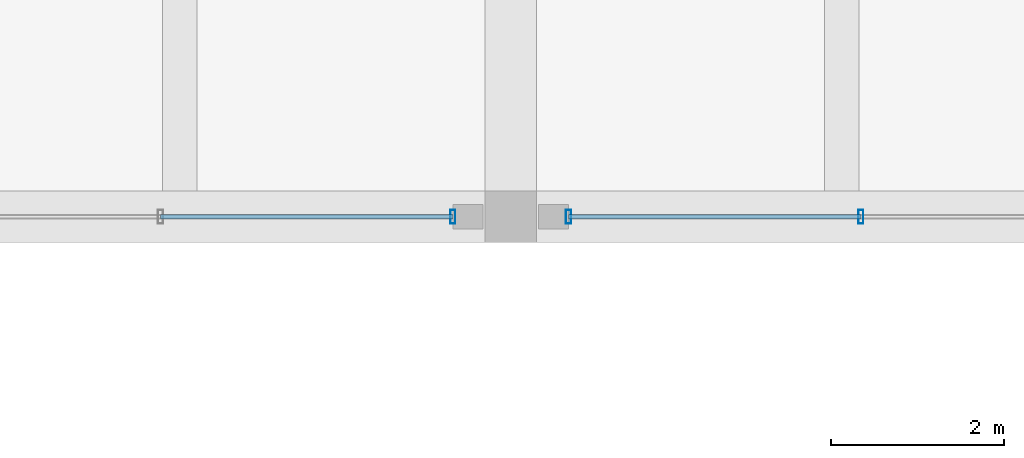
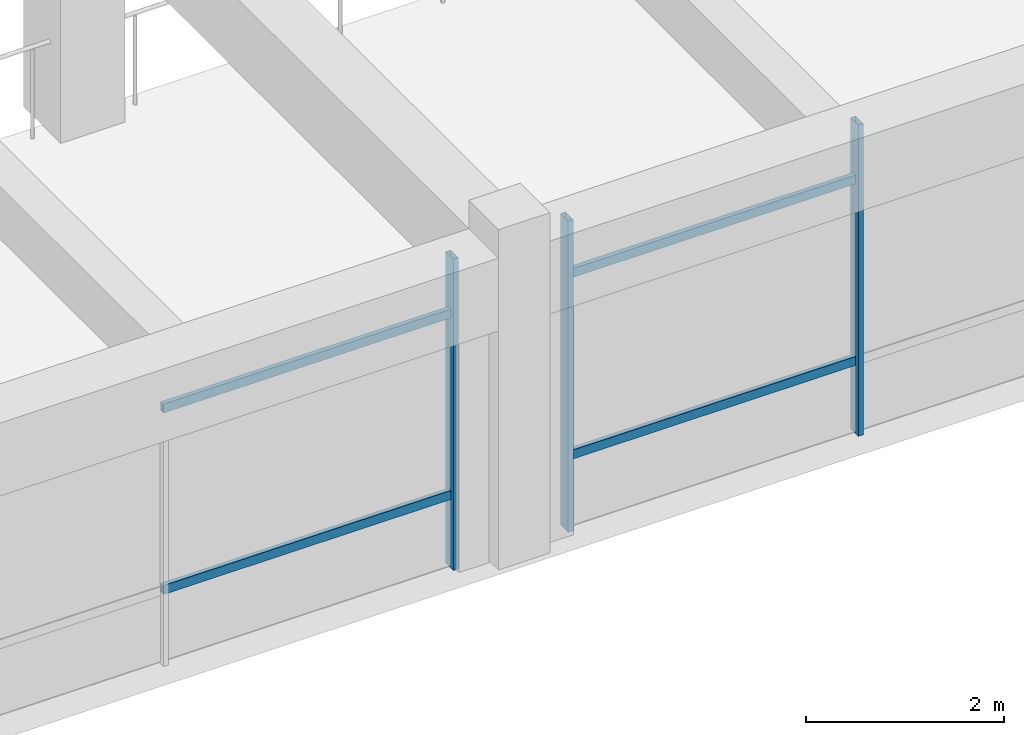
# One storey, part 10 of 98: 7 members, 2 elements without a shape of their own.
"""IFC4 building model written with IfcOpenShell, lengths in metres."""

import ifcopenshell
import ifcopenshell.guid

model = None  # the IFC model being written
_history = None  # IfcOwnerHistory: only IFC2X3 demands one
_inside = {}  # id of a spatial element -> (the spatial element, [elements in it])
_under = {}  # id of a project, library or spatial element -> (it, [spatial elements below it])
_declared = {}  # id of a project -> (the project, [libraries it declares])
_typed = {}  # id of a type object -> (the type object, [elements of that type])
_made_of = {}  # id of a material, layer set ... -> (it, [elements and type objects made of it])


def new_model(schema):
    """Start an empty IFC model of exactly this schema.

    Asked for "IFC4X3", IfcOpenShell would pick the latest addendum, in which some entities
    have other attributes; the version numbers below select the first issue.
    IFC2X3 requires an IfcOwnerHistory on every rooted entity: one is made here for all.
    """
    global model, _history
    if schema == "IFC4X3":
        model = ifcopenshell.file(schema_version=(4, 3, 0, 0))
    else:
        model = ifcopenshell.file(schema=schema)
    _inside.clear()
    _under.clear()
    _declared.clear()
    _typed.clear()
    _made_of.clear()
    _history = None
    if model.schema == "IFC2X3":
        org = make("IfcOrganization", Name="unknown")
        user = make(
            "IfcPersonAndOrganization",
            ThePerson=make("IfcPerson", FamilyName="unknown"),
            TheOrganization=org,
        )
        app = make(
            "IfcApplication",
            ApplicationDeveloper=org,
            Version="unknown",
            ApplicationFullName="unknown",
            ApplicationIdentifier="unknown",
        )
        _history = make(
            "IfcOwnerHistory",
            OwningUser=user,
            OwningApplication=app,
            ChangeAction="ADDED",
            CreationDate=0,
        )
    return model


def make(cls, **values):
    """One entity of the class cls with the attributes given. An attribute that is None is left unset."""
    return model.create_entity(
        cls, **{name: value for name, value in values.items() if value is not None}
    )


def rooted(cls, **values):
    """An entity with a GlobalId (a new one), such as an element, a storey or a relation."""
    return make(cls, GlobalId=ifcopenshell.guid.new(), OwnerHistory=_history, **values)


def si_unit(unit_type, name, prefix=None):
    """IfcSIUnit, for example si_unit("LENGTHUNIT", "METRE", prefix="MILLI")."""
    return make("IfcSIUnit", UnitType=unit_type, Prefix=prefix, Name=name)


def assignment(units):
    """IfcUnitAssignment: the units of a project."""
    return None if units is None else make("IfcUnitAssignment", Units=units)


def point(xyz):
    """IfcCartesianPoint."""
    return None if xyz is None else make("IfcCartesianPoint", Coordinates=xyz)


def direction(xyz):
    """IfcDirection."""
    return None if xyz is None else make("IfcDirection", DirectionRatios=xyz)


def frame(location, z_axis=None, x_axis=None):
    """IfcAxis2Placement3D, a coordinate frame: its origin and axes. An axis left out is left unset."""
    return make(
        "IfcAxis2Placement3D",
        Location=point(location),
        Axis=direction(z_axis),
        RefDirection=direction(x_axis),
    )


def frame_2d(location, x_axis=None):
    """IfcAxis2Placement2D, a coordinate frame in the plane: its origin and x axis."""
    return make(
        "IfcAxis2Placement2D", Location=point(location), RefDirection=direction(x_axis)
    )


def origin():
    """The frame at (0, 0, 0) with its axes left unset."""
    return frame((0.0, 0.0, 0.0))


def origin_2d():
    """The frame at (0, 0) in the plane with its x axis left unset."""
    return frame_2d((0.0, 0.0))


def place(relative_to, where):
    """IfcLocalPlacement: puts the frame where relative to a parent placement (None: the world)."""
    return make(
        "IfcLocalPlacement", PlacementRelTo=relative_to, RelativePlacement=where
    )


def context(
    kind, dimensions, precision=None, world=None, true_north=None, identifier=None
):
    """IfcGeometricRepresentationContext, for example the 3D "Model" context."""
    return make(
        "IfcGeometricRepresentationContext",
        ContextIdentifier=identifier,
        ContextType=kind,
        CoordinateSpaceDimension=dimensions,
        Precision=precision,
        WorldCoordinateSystem=world,
        TrueNorth=true_north,
    )


def subcontext(parent, identifier, kind, view, scale=None):
    """IfcGeometricRepresentationSubContext, for example "Body" below "Model"."""
    return make(
        "IfcGeometricRepresentationSubContext",
        ContextIdentifier=identifier,
        ContextType=kind,
        ParentContext=parent,
        TargetScale=scale,
        TargetView=view,
    )


def project(units=None, contexts=None):
    """IfcProject with its units and contexts."""
    return rooted(
        "IfcProject",
        Name="project",
        RepresentationContexts=contexts,
        UnitsInContext=assignment(units),
    )


def spatial(cls, under=None, at=None, **own):
    """A site, building, storey or space (cls), placed at a placement, below another one or the project."""
    s = rooted(cls, ObjectPlacement=at, **own)
    if under is not None:
        _under.setdefault(under.id(), (under, []))[1].append(s)
    return s


def profile(cls, at=None, kind="AREA", **sizes):
    """A parametric profile (cls). Its sizes go by their IFC names, for example OverallWidth=200.0."""
    return make(cls, ProfileType=kind, Position=at, **sizes)


def hollow_rectangle(**sizes):
    """IfcRectangleHollowProfileDef."""
    return profile("IfcRectangleHollowProfileDef", **sizes)


def extrude(swept, where, along, depth):
    """IfcExtrudedAreaSolid: the profile swept, set in the frame where, extruded along a direction by depth."""
    return make(
        "IfcExtrudedAreaSolid",
        SweptArea=swept,
        Position=where,
        ExtrudedDirection=direction(along),
        Depth=depth,
    )


def shape(context_of_items, identifier, shape_type, items):
    """IfcShapeRepresentation: the items that make up one representation, for example the "Body"."""
    return make(
        "IfcShapeRepresentation",
        ContextOfItems=context_of_items,
        RepresentationIdentifier=identifier,
        RepresentationType=shape_type,
        Items=items,
    )


def material(Name=None, Category=None):
    """IfcMaterial."""
    return make("IfcMaterial", Name=Name, Category=Category)


def material_profile(
    of_material, cross_section, Name=None, Category=None, Priority=None
):
    """IfcMaterialProfile: a cross section and its material."""
    return make(
        "IfcMaterialProfile",
        Name=Name,
        Material=of_material,
        Profile=cross_section,
        Priority=Priority,
        Category=Category,
    )


def profile_set(profiles, Name=None, composite=None):
    """IfcMaterialProfileSet."""
    return make(
        "IfcMaterialProfileSet",
        Name=Name,
        MaterialProfiles=profiles,
        CompositeProfile=composite,
    )


def made_of(thing, what):
    """Note that an element or type object is made of a material, layer set ...; save() writes the relation."""
    if what is not None:
        _made_of.setdefault(what.id(), (what, []))[1].append(thing)
    return thing


def type_object(cls, material=None, **own):
    """A type object (cls), such as IfcWallType, which elements share."""
    return made_of(rooted(cls, **own), material)


def element(
    cls,
    number,
    at=None,
    inside=None,
    cuts=None,
    type_object=None,
    material=None,
    context=None,
    identifier="Body",
    shape_type=None,
    held_by="IfcProductDefinitionShape",
    body=None,
    shapes=None,
    **own,
):
    """One element of the class cls, such as IfcWall. Its Tag is "e" and its number.

    at: its placement. inside: the storey or other place that contains it. cuts: it is an
    opening in that element (IfcRelVoidsElement). A single representation is given by context,
    identifier, shape_type and body (its items); several are given by shapes. held_by: the class
    of the entity that holds the representations. save() writes the other relations.
    """
    e = rooted(cls, Tag="e%d" % number, ObjectPlacement=at, **own)
    if body is not None:
        shapes = [shape(context, identifier, shape_type, body)]
    if shapes is not None:
        e.Representation = make(held_by, Representations=shapes)
    if inside is not None:
        _inside.setdefault(inside.id(), (inside, []))[1].append(e)
    if cuts is not None:
        rooted(
            "IfcRelVoidsElement", RelatingBuildingElement=cuts, RelatedOpeningElement=e
        )
    if type_object is not None:
        _typed.setdefault(type_object.id(), (type_object, []))[1].append(e)
    return made_of(e, material)


def aggregate(whole, parts):
    """IfcRelAggregates: a whole, such as a stair, and the parts it consists of."""
    return rooted("IfcRelAggregates", RelatingObject=whole, RelatedObjects=parts)


def save(model, path):
    """Write the relations noted so far, then the file.

    IfcRelAggregates (storeys below a building ...), IfcRelContainedInSpatialStructure (elements
    in a storey), IfcRelDefinesByType, IfcRelAssociatesMaterial and IfcRelDeclares: one each for
    every whole, place, type object, material and project.
    """
    for whole, parts in _under.values():
        aggregate(whole, parts)
    for where, things in _inside.values():
        rooted(
            "IfcRelContainedInSpatialStructure",
            RelatedElements=things,
            RelatingStructure=where,
        )
    for kind, things in _typed.values():
        rooted("IfcRelDefinesByType", RelatedObjects=things, RelatingType=kind)
    for what, things in _made_of.values():
        rooted("IfcRelAssociatesMaterial", RelatedObjects=things, RelatingMaterial=what)
    for by, libraries in _declared.values():
        rooted("IfcRelDeclares", RelatingContext=by, RelatedDefinitions=libraries)
    model.write(path)


model = new_model("IFC4")

# Units and contexts
model_context = context("Model", 3, precision=1e-05, world=origin(), true_north=direction((0.0, 1.0)))
body_context = subcontext(model_context, "Body", "Model", "MODEL_VIEW")
ifc_project = project(units=[si_unit("LENGTHUNIT", "METRE"), si_unit("AREAUNIT", "SQUARE_METRE"), si_unit("VOLUMEUNIT", "CUBIC_METRE"), si_unit("PLANEANGLEUNIT", "RADIAN"), si_unit("MASSUNIT", "GRAM", prefix="KILO")], contexts=[model_context])

# Site, building, storey
site_placement = place(None, origin())
site = spatial("IfcSite", under=ifc_project, at=site_placement, CompositionType="ELEMENT")
building_placement = place(site_placement, origin())
building = spatial("IfcBuilding", under=site, at=building_placement, Name="Ologun Quay Terminus", CompositionType="ELEMENT")
storey_placement = place(building_placement, frame((0.0, 0.0, 4.199951171875)))
storey = spatial("IfcBuildingStorey", under=building, at=storey_placement, Name="L01", CompositionType="ELEMENT", Elevation=4.199951171875)

# Curtain wall, member
ifc_material_1 = material(Name="Aluminium 6063-T6", Category="aluminium")
curtain_wall_type = type_object("IfcCurtainWallType", Name="Forecourt Mezzanine Curtain Wall 10700x3850", PredefinedType="USERDEFINED", material=ifc_material_1)
curtain_wall_1_placement = place(storey_placement, origin())
curtain_wall_1 = element("IfcCurtainWall", 1, at=curtain_wall_1_placement, inside=storey, type_object=curtain_wall_type, Name="CW-04 Curtain Wall CW-L01-011", ObjectType="UNITISED CURTAIN WALL", PredefinedType="USERDEFINED")
ifc_material_2 = material(Name="Aluminium 6063-T6", Category="aluminium")
ifc_material_profile_1 = material_profile(ifc_material_2, hollow_rectangle(XDim=0.06005859375, YDim=0.159912109375, WallThickness=0.00390625, at=origin_2d()), Name="ALU 160x60x4")
ifc_profile_set_1 = profile_set([ifc_material_profile_1], Name="Aluminium 6063-T6")
member_type_1 = type_object("IfcMemberType", Name="Curtain Wall Standard Mullion 160x65", PredefinedType="MULLION", material=ifc_profile_set_1)
member_1_placement = place(storey_placement, frame((33.830078125, 27.199951171875, 0.0), z_axis=(0.0, 0.0, 1.0), x_axis=(1.0, 0.0, 0.0)))
member_1 = element("IfcMember", 2, at=member_1_placement, type_object=member_type_1, Name="CW-L01-011 Mullion 4", PredefinedType="MULLION", context=body_context, shape_type="SweptSolid", body=[
    extrude(hollow_rectangle(XDim=0.06005859375, YDim=0.159912109375, WallThickness=0.00390625, at=origin_2d()), origin(), (0.0, 0.0, 1.0), 3.840087890625),
])

# Curtain wall, members
curtain_wall_2_placement = place(storey_placement, origin())
curtain_wall_2 = element("IfcCurtainWall", 3, at=curtain_wall_2_placement, inside=storey, type_object=curtain_wall_type, Name="CW-04 Curtain Wall CW-L01-012", ObjectType="UNITISED CURTAIN WALL", PredefinedType="USERDEFINED")
member_2_placement = place(storey_placement, frame((35.169921875, 27.199951171875, 0.0), z_axis=(0.0, 0.0, 1.0), x_axis=(1.0, 0.0, 0.0)))
member_2 = element("IfcMember", 4, at=member_2_placement, type_object=member_type_1, Name="CW-L01-012 Mullion 1", PredefinedType="MULLION", context=body_context, shape_type="SweptSolid", body=[
    extrude(hollow_rectangle(XDim=0.06005859375, YDim=0.159912109375, WallThickness=0.00390625, at=origin_2d()), origin(), (0.0, 0.0, 1.0), 3.840087890625),
])
member_3_placement = place(storey_placement, frame((38.556640625, 27.199951171875, 0.0), z_axis=(0.0, 0.0, 1.0), x_axis=(1.0, 0.0, 0.0)))
member_3 = element("IfcMember", 5, at=member_3_placement, type_object=member_type_1, Name="CW-L01-012 Mullion 2", PredefinedType="MULLION", context=body_context, shape_type="SweptSolid", body=[
    extrude(hollow_rectangle(XDim=0.06005859375, YDim=0.159912109375, WallThickness=0.00390625, at=origin_2d()), origin(), (0.0, 0.0, 1.0), 3.840087890625),
])

# Member
ifc_material_3 = material(Name="Aluminium 6063-T6", Category="aluminium")
ifc_material_profile_2 = material_profile(ifc_material_3, hollow_rectangle(XDim=0.054931640625, YDim=0.110107421875, WallThickness=0.00390625, at=origin_2d()), Name="ALU 110x55x4")
ifc_profile_set_2 = profile_set([ifc_material_profile_2], Name="Aluminium 6063-T6")
member_type_2 = type_object("IfcMemberType", Name="Curtain Wall Standard Transom 110x55", PredefinedType="USERDEFINED", material=ifc_profile_set_2)
member_4_placement = place(storey_placement, frame((30.443359375, 27.199951171875, 0.900146484375), z_axis=(1.0, 0.0, 0.0), x_axis=(0.0, 1.0, 0.0)))
member_4 = element("IfcMember", 6, at=member_4_placement, type_object=member_type_2, Name="CW-L01-011 Transom B3-1", ObjectType="TRANSOM", PredefinedType="USERDEFINED", context=body_context, shape_type="SweptSolid", body=[
    extrude(hollow_rectangle(XDim=0.054931640625, YDim=0.110107421875, WallThickness=0.00390625, at=origin_2d()), origin(), (0.0, 0.0, 1.0), 3.38671875),
])

member_5_placement = place(storey_placement, frame((30.443359375, 27.199951171875, 3.14013671875), z_axis=(1.0, 0.0, 0.0), x_axis=(0.0, 1.0, 0.0)))
member_5 = element("IfcMember", 7, at=member_5_placement, type_object=member_type_2, Name="CW-L01-011 Transom B3-2", ObjectType="TRANSOM", PredefinedType="USERDEFINED", context=body_context, shape_type="SweptSolid", body=[
    extrude(hollow_rectangle(XDim=0.054931640625, YDim=0.110107421875, WallThickness=0.00390625, at=origin_2d()), origin(), (0.0, 0.0, 1.0), 3.38671875),
])

aggregate(curtain_wall_1, [member_1, member_4, member_5])

member_6_placement = place(storey_placement, frame((35.169921875, 27.199951171875, 0.900146484375), z_axis=(1.0, 0.0, 0.0), x_axis=(0.0, 1.0, 0.0)))
member_6 = element("IfcMember", 8, at=member_6_placement, type_object=member_type_2, Name="CW-L01-012 Transom B1-1", ObjectType="TRANSOM", PredefinedType="USERDEFINED", context=body_context, shape_type="SweptSolid", body=[
    extrude(hollow_rectangle(XDim=0.054931640625, YDim=0.110107421875, WallThickness=0.00390625, at=origin_2d()), origin(), (0.0, 0.0, 1.0), 3.38671875),
])

member_7_placement = place(storey_placement, frame((35.169921875, 27.199951171875, 3.14013671875), z_axis=(1.0, 0.0, 0.0), x_axis=(0.0, 1.0, 0.0)))
member_7 = element("IfcMember", 9, at=member_7_placement, type_object=member_type_2, Name="CW-L01-012 Transom B1-2", ObjectType="TRANSOM", PredefinedType="USERDEFINED", context=body_context, shape_type="SweptSolid", body=[
    extrude(hollow_rectangle(XDim=0.054931640625, YDim=0.110107421875, WallThickness=0.00390625, at=origin_2d()), origin(), (0.0, 0.0, 1.0), 3.38671875),
])

aggregate(curtain_wall_2, [member_2, member_3, member_6, member_7])

save(model, "model.ifc")
